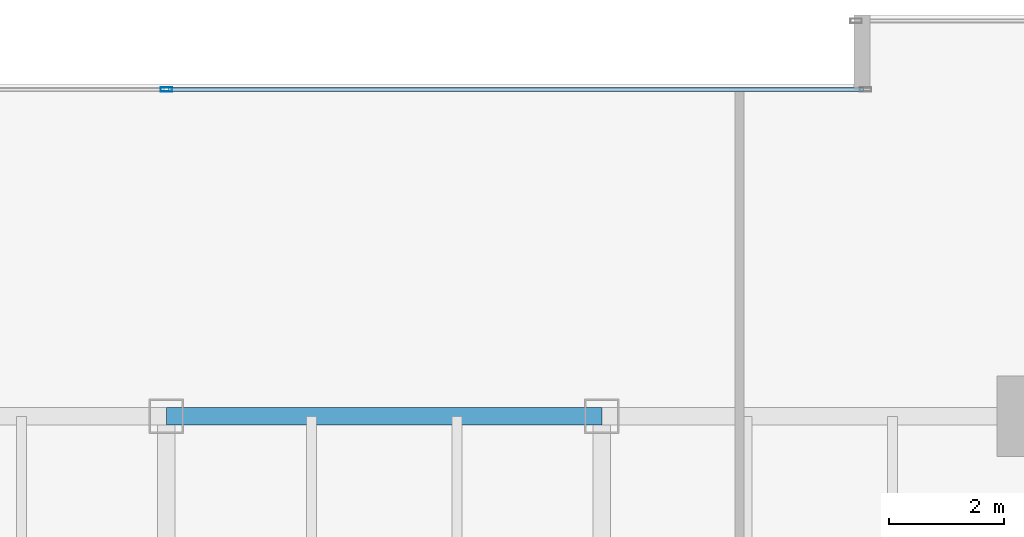
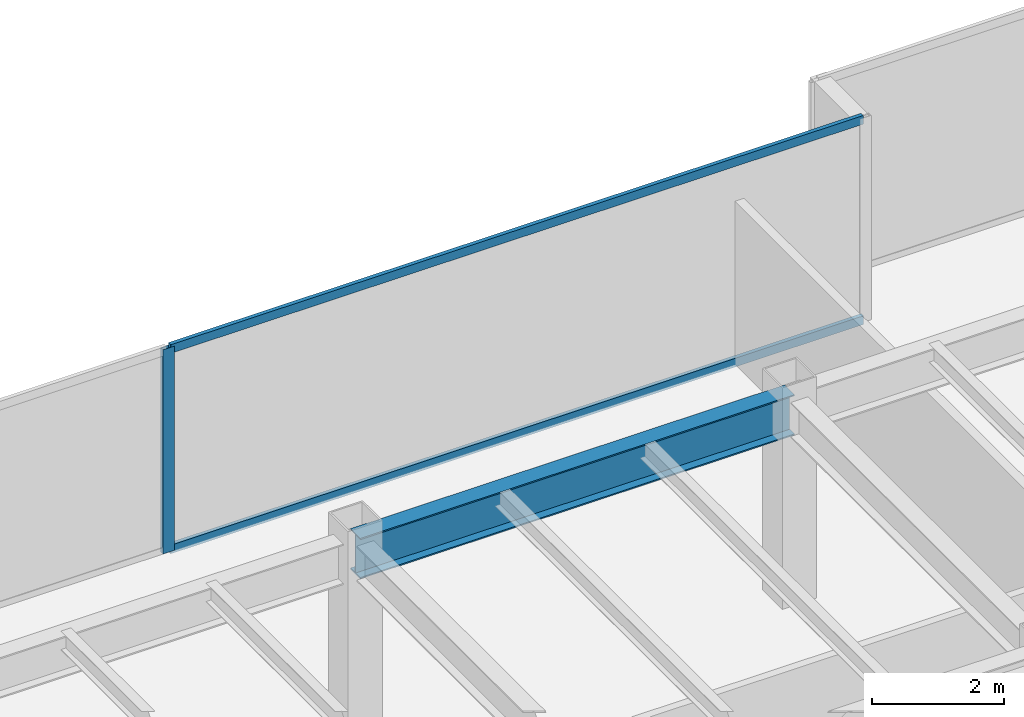
# One storey, part 18 of 35: 3 members, 1 beam, 1 element without a shape of its own.
"""IFC4 building model written with IfcOpenShell, lengths in metres."""

from ifc_helpers import new_model, si_unit, direction, frame, origin, origin_2d, place, context, subcontext, project, spatial, hollow_rectangle, i_section, extrude, source, transform, mapped, material, layer, layer_set, material_profile, profile_set, type_object, type_shapes, element, aggregate, save


model = new_model("IFC4")

# Units and contexts
model_context = context("Model", 3, precision=1e-05, world=origin(), true_north=direction((0.0, 1.0)))
body_context = subcontext(model_context, "Body", "Model", "MODEL_VIEW")
ifc_project = project(units=[si_unit("LENGTHUNIT", "METRE"), si_unit("AREAUNIT", "SQUARE_METRE"), si_unit("VOLUMEUNIT", "CUBIC_METRE"), si_unit("PLANEANGLEUNIT", "RADIAN"), si_unit("MASSUNIT", "GRAM", prefix="KILO")], contexts=[model_context])

# Site, building, storey
site_placement = place(None, origin())
site = spatial("IfcSite", under=ifc_project, at=site_placement, CompositionType="ELEMENT")
building_placement = place(site_placement, origin())
building = spatial("IfcBuilding", under=site, at=building_placement, Name="Haelvirn Gate Laboratories", CompositionType="ELEMENT")
storey_placement = place(building_placement, frame((0.0, 0.0, 82.60009765625)))
storey = spatial("IfcBuildingStorey", under=building, at=storey_placement, Name="L20", CompositionType="ELEMENT", Elevation=82.60009765625)

# Beam
ifc_material_1 = material(Name="Steel SM355", Category="steel")
ifc_material_profile_1 = material_profile(ifc_material_1, i_section(OverallWidth=0.300048828125, OverallDepth=0.75, WebThickness=0.013916015625, FlangeThickness=0.02392578125, at=origin_2d()), Name="H-750x300x14x24")
ifc_profile_set_1 = profile_set([ifc_material_profile_1], Name="Steel SM355")
beam_type = type_object("IfcBeamType", Name="BM-G-750", PredefinedType="BEAM", material=ifc_profile_set_1)
shared_shape_1 = source(origin(), body_context, "Body", "SweptSolid", [
    extrude(i_section(OverallWidth=0.300048828125, OverallDepth=0.75, WebThickness=0.013916015625, FlangeThickness=0.02392578125, at=origin_2d()), origin(), (0.0, 0.0, 1.0), 7.60009765625),
])
type_shapes(beam_type, [shared_shape_1])
beam_placement = place(storey_placement, frame((37.39990234375, 41.60009765625, 3.40478515625), z_axis=(1.0, 0.0, 0.0), x_axis=(0.0, 1.0, 0.0)))
element("IfcBeam", 1, at=beam_placement, inside=storey, type_object=beam_type, Name="L20 Primary Girder Y41.6 (37.4-45.0)", PredefinedType="BEAM", context=body_context, shape_type="MappedRepresentation", body=[
    mapped(shared_shape_1, transform((0.0, 0.0, 0.0), scale=1.0)),
])

# Curtain wall, members
ifc_material_2 = material(Name="Anodised bronze unitised aluminium & triple low-E glass", Category="aluminium")
ifc_layer = layer(ifc_material_2, 0.18408203125, Name="CW-SYS-2")
ifc_layer_set = layer_set([ifc_layer], Name="Anodised bronze unitised aluminium & triple low-E glass")
curtain_wall_type = type_object("IfcCurtainWallType", Name="CW-SYS-2", PredefinedType="NOTDEFINED", material=ifc_layer_set)
curtain_wall_placement = place(storey_placement, origin())
curtain_wall = element("IfcCurtainWall", 2, at=curtain_wall_placement, inside=storey, type_object=curtain_wall_type, Name="L20 Unitised Curtain Wall CW-L20-P0-E12-1", PredefinedType="NOTDEFINED")
ifc_material_3 = material(Name="Extruded aluminium 6063-T6 (anodised bronze)", Category="aluminium")
ifc_material_profile_2 = material_profile(ifc_material_3, hollow_rectangle(XDim=0.070068359375, YDim=0.159912109375, WallThickness=0.0048828125, at=origin_2d()), Name="CWT-160x70x5")
ifc_profile_set_2 = profile_set([ifc_material_profile_2], Name="Extruded aluminium 6063-T6 (anodised bronze)")
member_type_1 = type_object("IfcMemberType", Name="CWT-T160", PredefinedType="USERDEFINED", material=ifc_profile_set_2)
shared_shape_2 = source(origin(), body_context, "Body", "SweptSolid", [
    extrude(hollow_rectangle(XDim=0.070068359375, YDim=0.159912109375, WallThickness=0.0048828125, at=origin_2d()), origin(), (0.0, 0.0, 1.0), 12.12744140625),
])
type_shapes(member_type_1, [shared_shape_2])
member_1_placement = place(storey_placement, frame((37.4375, 47.300048828125, 0.034912109375), z_axis=(1.0, 0.0, 0.0), x_axis=(0.0, 1.0, 0.0)))
member_1 = element("IfcMember", 3, at=member_1_placement, type_object=member_type_1, Name="CW2 transom 2.1", ObjectType="TRANSOM", PredefinedType="USERDEFINED", context=body_context, shape_type="MappedRepresentation", body=[
    mapped(shared_shape_2, transform((0.0, 0.0, 0.0), scale=1.0)),
])
member_2_placement = place(storey_placement, frame((37.4375, 47.300048828125, 3.744873046875), z_axis=(1.0, 0.0, 0.0), x_axis=(0.0, 1.0, 0.0)))
member_2 = element("IfcMember", 4, at=member_2_placement, type_object=member_type_1, Name="CW2 transom 2.2", ObjectType="TRANSOM", PredefinedType="USERDEFINED", context=body_context, shape_type="MappedRepresentation", body=[
    mapped(shared_shape_2, transform((0.0, 0.0, 0.0), scale=1.0)),
])
ifc_material_profile_3 = material_profile(ifc_material_3, hollow_rectangle(XDim=0.074951171875, YDim=0.199951171875, WallThickness=0.0048828125, at=origin_2d()), Name="CWM-200x75x5")
ifc_profile_set_3 = profile_set([ifc_material_profile_3], Name="Extruded aluminium 6063-T6 (anodised bronze)")
member_type_2 = type_object("IfcMemberType", Name="CWM-T200", PredefinedType="MULLION", material=ifc_profile_set_3)
shared_shape_3 = source(origin(), body_context, "Body", "SweptSolid", [
    extrude(hollow_rectangle(XDim=0.074951171875, YDim=0.199951171875, WallThickness=0.0048828125, at=origin_2d()), origin(), (0.0, 0.0, 1.0), 3.77978515625),
])
type_shapes(member_type_2, [shared_shape_3])
member_3_placement = place(storey_placement, frame((37.39990234375, 47.300048828125, 0.0), z_axis=(0.0, 0.0, 1.0), x_axis=(0.0, 1.0, 0.0)))
member_3 = element("IfcMember", 5, at=member_3_placement, type_object=member_type_2, Name="CW2 mullion 2", PredefinedType="MULLION", context=body_context, shape_type="MappedRepresentation", body=[
    mapped(shared_shape_3, transform((0.0, 0.0, 0.0), scale=1.0)),
])
aggregate(curtain_wall, [member_3, member_1, member_2])

save(model, "model.ifc")
